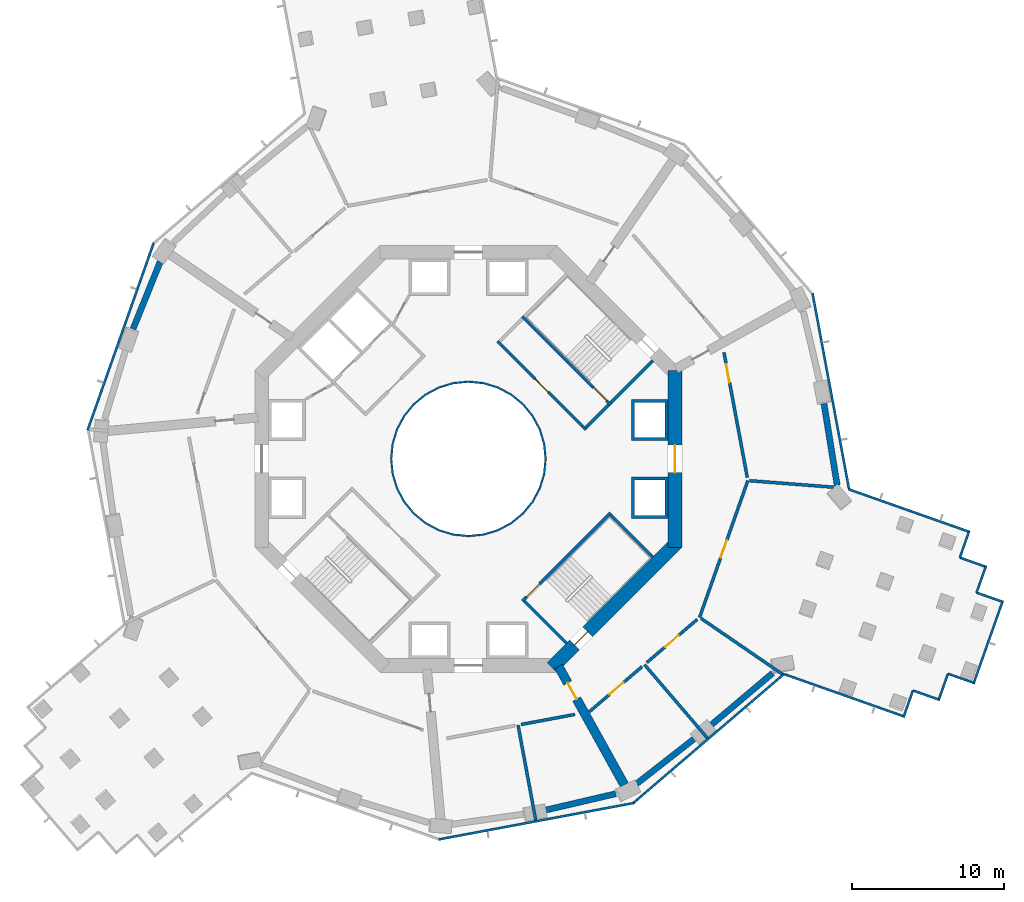
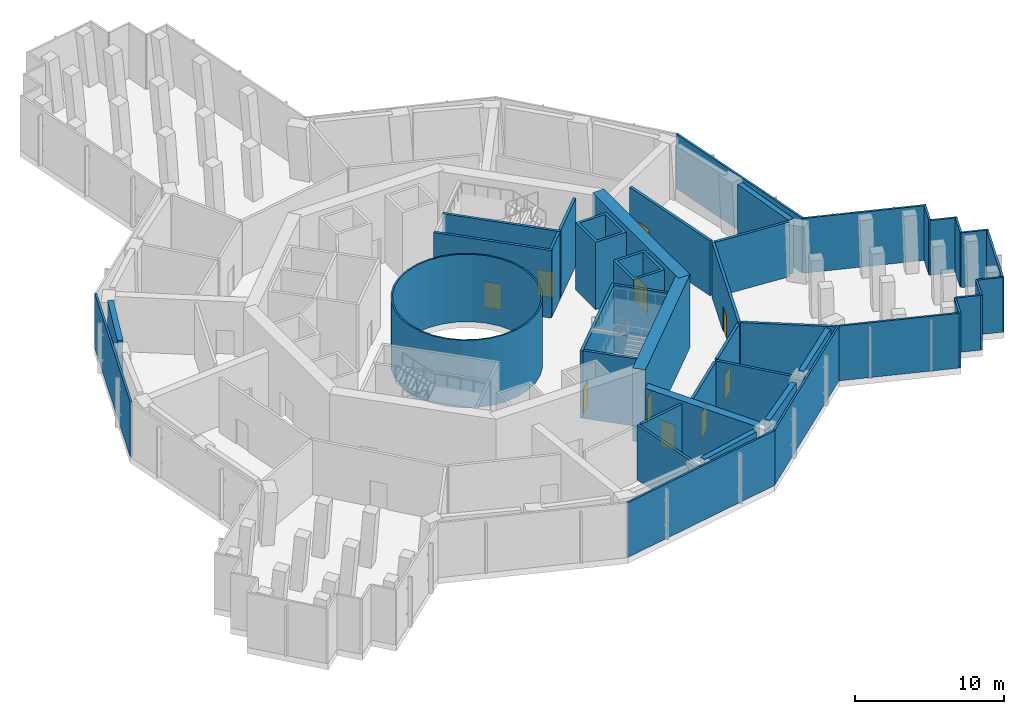
# One storey, part 4 of 20: 42 walls, 10 doors, 10 openings.
"""IFC4 building model written with IfcOpenShell, lengths in metres."""

from ifc_helpers import new_model, si_unit, direction, frame, frame_2d, origin, place, context, subcontext, project, spatial, polyline, rectangle, outline, extrude, material, layer, layer_set, type_object, element, fill, save


model = new_model("IFC4")

# Units and contexts
model_context = context("Model", 3, precision=1e-05, world=origin(), true_north=direction((0.0, 1.0)))
body_context = subcontext(model_context, "Body", "Model", "MODEL_VIEW")
ifc_project = project(units=[si_unit("LENGTHUNIT", "METRE"), si_unit("AREAUNIT", "SQUARE_METRE"), si_unit("VOLUMEUNIT", "CUBIC_METRE"), si_unit("PLANEANGLEUNIT", "RADIAN"), si_unit("MASSUNIT", "GRAM", prefix="KILO")], contexts=[model_context])

# Site, building, storey
site_placement = place(None, origin())
site = spatial("IfcSite", under=ifc_project, at=site_placement, CompositionType="ELEMENT")
building_placement = place(site_placement, origin())
building = spatial("IfcBuilding", under=site, at=building_placement, Name="Verdalira Terraces Hotel", CompositionType="ELEMENT")
storey_placement = place(building_placement, frame((0.0, 0.0, 75.0)))
storey = spatial("IfcBuildingStorey", under=building, at=storey_placement, Name="L17", CompositionType="ELEMENT", Elevation=75.0)

# Walls
ifc_material_1 = material(Name="Fire-resisting glass EI 180", Category="glass")
ifc_layer_1 = layer(ifc_material_1, 0.1201171875)
ifc_layer_set_1 = layer_set([ifc_layer_1], Name="Atrium fire screen 120 mm")
wall_type_1 = type_object("IfcWallType", Name="Atrium fire screen 120 mm", PredefinedType="SOLIDWALL", material=ifc_layer_set_1)
wall_1_placement = place(storey_placement, origin())
element("IfcWall", 1, at=wall_1_placement, inside=storey, type_object=wall_type_1, Name="Atrium fire screen", PredefinedType="SOLIDWALL", context=body_context, shape_type="SweptSolid", body=[
    extrude(outline(polyline([(5.021484, -0.998779), (4.730225, -1.959229), (4.25708, -2.844482), (3.620361, -3.620361), (2.844482, -4.25708), (1.959229, -4.730225), (0.998779, -5.021484), (0.0, -5.120117), (-0.998779, -5.021484), (-1.959229, -4.730225), (-2.844482, -4.25708), (-3.620361, -3.620361), (-4.25708, -2.844482), (-4.730225, -1.959229), (-5.021484, -0.998779), (-5.120117, 0.0), (-5.021484, 0.998779), (-4.730225, 1.959229), (-4.25708, 2.844482), (-3.620361, 3.620361), (-2.844482, 4.25708), (-1.959229, 4.730225), (-0.998779, 5.021484), (0.0, 5.120117), (0.998779, 5.021484), (1.959229, 4.730225), (2.844482, 4.25708), (3.620361, 3.620361), (4.25708, 2.844482), (4.730225, 1.959229), (5.021484, 0.998779), (5.120117, 0.0), (5.021484, -0.998779)]), holes=[polyline([(4.903809, 0.975586), (4.619385, 1.91333), (4.157227, 2.777832), (3.5354, 3.5354), (2.777832, 4.157227), (1.91333, 4.619385), (0.975586, 4.903809), (0.0, 5.0), (-0.975586, 4.903809), (-1.91333, 4.619385), (-2.777832, 4.157227), (-3.5354, 3.5354), (-4.157227, 2.777832), (-4.619385, 1.91333), (-4.903809, 0.975586), (-5.0, 0.0), (-4.903809, -0.975586), (-4.619385, -1.91333), (-4.157227, -2.777832), (-3.5354, -3.5354), (-2.777832, -4.157227), (-1.91333, -4.619385), (-0.975586, -4.903809), (0.0, -5.0), (0.975586, -4.903809), (1.91333, -4.619385), (2.777832, -4.157227), (3.5354, -3.5354), (4.157227, -2.777832), (4.619385, -1.91333), (4.903809, -0.975586), (5.0, 0.0), (4.903809, 0.975586)])]), origin(), (0.0, 0.0, 1.0), 5.550049),
])
ifc_material_2 = material(Name="Concrete C70", Category="concrete")
ifc_layer_2 = layer(ifc_material_2, 0.39990234375)
ifc_layer_set_2 = layer_set([ifc_layer_2], Name="Belt wall 400 C70")
wall_type_2 = type_object("IfcWallType", Name="Belt wall 400 C70", PredefinedType="SHEAR", material=ifc_layer_set_2)
for number, where, z_axis, x_axis, name in (
    (2, (-20.210449, 12.935059, 0.0), (0.0, 0.0, 1.0), (-0.374688749, -0.927150657, 0.0), "Belt wall BW-17-3"),
    (3, (5.0271, -23.045166, 0.0), (0.0, 0.0, 1.0), (0.973874889, 0.227085229, 0.0), "Belt wall BW-17-10"),
):
    element("IfcWall", number, at=place(storey_placement, frame(where, z_axis=z_axis, x_axis=x_axis)), inside=storey, type_object=wall_type_2, Name=name, PredefinedType="SHEAR", context=body_context, shape_type="SweptSolid", body=[
        extrude(rectangle(XDim=4.757324, YDim=0.399902, at=frame_2d((2.378662, 0.0))), origin(), (0.0, 0.0, 1.0), 4.5),
    ])
wall_2_placement = place(storey_placement, frame((11.0354, -21.307129, 0.0), z_axis=(0.0, 0.0, 1.0), x_axis=(0.788051606, 0.615609183, 0.0)))
element("IfcWall", 4, at=wall_2_placement, inside=storey, type_object=wall_type_2, Name="Belt wall BW-17-11", PredefinedType="SHEAR", context=body_context, shape_type="SweptSolid", body=[
    extrude(rectangle(XDim=4.75708, YDim=0.399902, at=frame_2d((2.378418, 0.0))), origin(), (0.0, 0.0, 1.0), 4.5),
])
wall_3_placement = place(storey_placement, frame((15.888916, -17.482422, 0.0), z_axis=(0.0, 0.0, 1.0), x_axis=(0.764448601, 0.64468468, 0.0)))
element("IfcWall", 5, at=wall_3_placement, inside=storey, type_object=wall_type_2, Name="Belt wall BW-17-12", PredefinedType="SHEAR", context=body_context, shape_type="SweptSolid", body=[
    extrude(rectangle(XDim=5.312256, YDim=0.399902, at=frame_2d((2.65625, 0.0))), origin(), (0.0, 0.0, 1.0), 4.5),
])
wall_4_placement = place(storey_placement, frame((24.187012, -1.738525, 0.0), z_axis=(0.0, 0.0, 1.0), x_axis=(-0.159259283, 0.987236791, 0.0)))
element("IfcWall", 6, at=wall_4_placement, inside=storey, type_object=wall_type_2, Name="Belt wall BW-17-13", PredefinedType="SHEAR", context=body_context, shape_type="SweptSolid", body=[
    extrude(rectangle(XDim=5.432861, YDim=0.399902, at=frame_2d((2.716309, 0.0))), origin(), (0.0, 0.0, 1.0), 4.5),
])
ifc_material_3 = material(Name="Concrete C50", Category="concrete")
ifc_layer_3 = layer(ifc_material_3, 0.199951171875)
ifc_layer_set_3 = layer_set([ifc_layer_3], Name="Core RC wall 200 C50")
wall_type_3 = type_object("IfcWallType", Name="Core RC wall 200 C50", PredefinedType="SOLIDWALL", material=ifc_layer_set_3)
wall_5_placement = place(storey_placement, origin())
element("IfcWall", 7, at=wall_5_placement, inside=storey, type_object=wall_type_3, Name="L17 shaft wall E1", PredefinedType="SOLIDWALL", context=body_context, shape_type="SweptSolid", body=[
    extrude(outline(polyline([(13.100098, -1.199951), (13.100098, -3.899902), (10.699951, -3.899902), (10.699951, -1.199951), (13.100098, -1.199951)]), holes=[polyline([(10.899902, -3.699951), (12.899902, -3.699951), (12.899902, -1.399902), (10.899902, -1.399902), (10.899902, -3.699951)])]), origin(), (0.0, 0.0, 1.0), 5.550049),
])
wall_6_placement = place(storey_placement, origin())
element("IfcWall", 8, at=wall_6_placement, inside=storey, type_object=wall_type_3, Name="L17 shaft wall E2", PredefinedType="SOLIDWALL", context=body_context, shape_type="SweptSolid", body=[
    extrude(outline(polyline([(10.699951, 3.899902), (13.100098, 3.899902), (13.100098, 1.199951), (10.699951, 1.199951), (10.699951, 3.899902)]), holes=[polyline([(12.899902, 1.399902), (12.899902, 3.699951), (10.899902, 3.699951), (10.899902, 1.399902), (12.899902, 1.399902)])]), origin(), (0.0, 0.0, 1.0), 5.550049),
])

# Wall, opening, door
wall_7_placement = place(storey_placement, frame((3.5354, 9.33374, 0.0), z_axis=(0.0, 0.0, 1.0), x_axis=(0.707106781, -0.707106781, 0.0)))
wall_7 = element("IfcWall", 9, at=wall_7_placement, inside=storey, type_object=wall_type_3, Name="L17 stair ST1 front wall", PredefinedType="SOLIDWALL", context=body_context, shape_type="SweptSolid", body=[
    extrude(rectangle(XDim=8.200195, YDim=0.199951, at=frame_2d((4.100098, 0.0))), origin(), (0.0, 0.0, 1.0), 5.550049),
])
opening_1_placement = place(wall_7_placement, frame((6.600098, 0.0, 0.0)))
opening_1 = element("IfcOpeningElement", 10, at=opening_1_placement, cuts=wall_7, Name="Opening L17-803", PredefinedType="OPENING", context=body_context, shape_type="SweptSolid", body=[
    extrude(rectangle(XDim=1.199951, YDim=2.100098, at=frame_2d((0.600098, 1.050049))), frame((0.0, 0.109863, 0.0), z_axis=(0.0, -1.0, 0.0), x_axis=(1.0, 0.0, 0.0)), (0.0, 0.0, 1.0), 0.219971),
])
ifc_material_4 = material(Name="Steel fire door", Category="steel")
door_type_1 = type_object("IfcDoorType", Name="Stair door 1200 x 2100", OperationType="NOTDEFINED", PredefinedType="DOOR", material=ifc_material_4)
door_1_placement = place(opening_1_placement, origin())
door_1 = element("IfcDoor", 11, at=door_1_placement, inside=storey, type_object=door_type_1, Name="Stair door ST1 L17", OperationType="SINGLE_SWING_RIGHT", OverallHeight=2.10009765625, OverallWidth=1.199951171875, PredefinedType="DOOR", context=body_context, shape_type="SweptSolid", body=[
    extrude(rectangle(XDim=1.199951, YDim=2.100098, at=frame_2d((0.600098, 1.050049))), frame((0.0, 0.024902, 0.0), z_axis=(0.0, -1.0, 0.0), x_axis=(1.0, 0.0, 0.0)), (0.0, 0.0, 1.0), 0.050049),
])
fill(opening_1, door_1)

# Wall
wall_8_placement = place(storey_placement, frame((9.33374, 3.677002, 0.0), z_axis=(0.0, 0.0, 1.0), x_axis=(0.707106781, 0.707106781, 0.0)))
element("IfcWall", 12, at=wall_8_placement, inside=storey, type_object=wall_type_3, Name="L17 stair ST1 end wall 1", PredefinedType="SOLIDWALL", context=body_context, shape_type="SweptSolid", body=[
    extrude(rectangle(XDim=3.900146, YDim=0.199951, at=frame_2d((1.950195, 0.0))), origin(), (0.0, 0.0, 1.0), 5.550049),
])

# Wall, opening, door
wall_9_placement = place(storey_placement, frame((9.33374, -3.5354, 0.0), z_axis=(0.0, 0.0, 1.0), x_axis=(-0.707106781, -0.707106781, 0.0)))
wall_9 = element("IfcWall", 13, at=wall_9_placement, inside=storey, type_object=wall_type_3, Name="L17 stair ST3 front wall", PredefinedType="SOLIDWALL", context=body_context, shape_type="SweptSolid", body=[
    extrude(rectangle(XDim=8.200195, YDim=0.199951, at=frame_2d((4.100098, 0.0))), origin(), (0.0, 0.0, 1.0), 5.550049),
])
opening_2_placement = place(wall_9_placement, frame((6.600098, 0.0, 0.0)))
opening_2 = element("IfcOpeningElement", 14, at=opening_2_placement, cuts=wall_9, Name="Opening L17-805", PredefinedType="OPENING", context=body_context, shape_type="SweptSolid", body=[
    extrude(rectangle(XDim=1.199951, YDim=2.100098, at=frame_2d((0.600098, 1.050049))), frame((0.0, 0.109863, 0.0), z_axis=(0.0, -1.0, 0.0), x_axis=(1.0, 0.0, 0.0)), (0.0, 0.0, 1.0), 0.219971),
])
door_2_placement = place(opening_2_placement, origin())
door_2 = element("IfcDoor", 15, at=door_2_placement, inside=storey, type_object=door_type_1, Name="Stair door ST3 L17", OperationType="SINGLE_SWING_RIGHT", OverallHeight=2.10009765625, OverallWidth=1.199951171875, PredefinedType="DOOR", context=body_context, shape_type="SweptSolid", body=[
    extrude(rectangle(XDim=1.199951, YDim=2.100098, at=frame_2d((0.600098, 1.050049))), frame((0.0, 0.024902, 0.0), z_axis=(0.0, -1.0, 0.0), x_axis=(1.0, 0.0, 0.0)), (0.0, 0.0, 1.0), 0.050049),
])
fill(opening_2, door_2)

# Walls
for number, where, z_axis, x_axis, name in (
    (16, (3.677002, -9.33374, 0.0), (0.0, 0.0, 1.0), (0.707106781, -0.707106781, 0.0), "L17 stair ST3 end wall 1"),
    (17, (9.33374, -3.677002, 0.0), (0.0, 0.0, 1.0), (0.707106781, -0.707106781, 0.0), "L17 stair ST3 end wall 2"),
):
    element("IfcWall", number, at=place(storey_placement, frame(where, z_axis=z_axis, x_axis=x_axis)), inside=storey, type_object=wall_type_3, Name=name, PredefinedType="SOLIDWALL", context=body_context, shape_type="SweptSolid", body=[
        extrude(rectangle(XDim=3.900146, YDim=0.199951, at=frame_2d((1.950195, 0.0))), origin(), (0.0, 0.0, 1.0), 5.550049),
    ])

# Wall, opening, door
wall_10_placement = place(storey_placement, frame((7.70752, 1.90918, 0.0), z_axis=(0.0, 0.0, 1.0), x_axis=(-0.707106781, 0.707106781, 0.0)))
wall_10 = element("IfcWall", 18, at=wall_10_placement, inside=storey, type_object=wall_type_3, Name="Stair lobby wall ST1 L17", PredefinedType="SOLIDWALL", context=body_context, shape_type="SweptSolid", body=[
    extrude(rectangle(XDim=8.200195, YDim=0.199951, at=frame_2d((4.100098, 0.0))), origin(), (0.0, 0.0, 1.0), 5.550049),
])
opening_3_placement = place(wall_10_placement, frame((3.5, 0.0, 0.0)))
opening_3 = element("IfcOpeningElement", 19, at=opening_3_placement, cuts=wall_10, Name="Opening L17-816", PredefinedType="OPENING", context=body_context, shape_type="SweptSolid", body=[
    extrude(rectangle(XDim=1.199951, YDim=2.100098, at=frame_2d((0.600098, 1.050049))), frame((0.0, 0.109863, 0.0), z_axis=(0.0, -1.0, 0.0), x_axis=(1.0, 0.0, 0.0)), (0.0, 0.0, 1.0), 0.219971),
])
ifc_material_5 = material(Name="Steel fire door", Category="steel")
door_type_2 = type_object("IfcDoorType", Name="Lobby door 1200 x 2100", OperationType="NOTDEFINED", PredefinedType="DOOR", material=ifc_material_5)
door_3_placement = place(opening_3_placement, origin())
door_3 = element("IfcDoor", 20, at=door_3_placement, inside=storey, type_object=door_type_2, Name="Door L17 lobbyST1", OperationType="SINGLE_SWING_LEFT", OverallHeight=2.10009765625, OverallWidth=1.199951171875, PredefinedType="DOOR", context=body_context, shape_type="SweptSolid", body=[
    extrude(rectangle(XDim=1.199951, YDim=2.100098, at=frame_2d((0.600098, 1.050049))), frame((0.0, 0.024902, 0.0), z_axis=(0.0, -1.0, 0.0), x_axis=(1.0, 0.0, 0.0)), (0.0, 0.0, 1.0), 0.050049),
])
fill(opening_3, door_3)

# Wall
wall_11_placement = place(storey_placement, frame((7.70752, 2.050537, 0.0), z_axis=(0.0, 0.0, 1.0), x_axis=(0.707106781, 0.707106781, 0.0)))
element("IfcWall", 21, at=wall_11_placement, inside=storey, type_object=wall_type_3, Name="Stair lobby wall ST1 L17", PredefinedType="SOLIDWALL", context=body_context, shape_type="SweptSolid", body=[
    extrude(rectangle(XDim=2.099854, YDim=0.199951, at=frame_2d((1.049805, 0.0))), origin(), (0.0, 0.0, 1.0), 5.550049),
])

# Wall, opening, door
ifc_material_6 = material(Name="Concrete C70", Category="concrete")
ifc_layer_4 = layer(ifc_material_6, 0.89990234375)
ifc_layer_set_4 = layer_set([ifc_layer_4], Name="Core wall 900 C70")
wall_type_4 = type_object("IfcWallType", Name="Core wall 900 C70", PredefinedType="SHEAR", material=ifc_layer_set_4)
wall_12_placement = place(storey_placement, frame((13.550049, -5.799072, 0.0), z_axis=(0.0, 0.0, 1.0), x_axis=(0.0, 1.0, 0.0)))
wall_12 = element("IfcWall", 22, at=wall_12_placement, inside=storey, type_object=wall_type_4, Name="Core wall CW-L17-1", PredefinedType="SHEAR", context=body_context, shape_type="SweptSolid", body=[
    extrude(rectangle(XDim=11.598145, YDim=0.899902, at=frame_2d((5.799072, 0.0))), origin(), (0.0, 0.0, 1.0), 6.0),
])
opening_4_placement = place(wall_12_placement, frame((4.898926, 0.0, 0.0)))
opening_4 = element("IfcOpeningElement", 23, at=opening_4_placement, cuts=wall_12, Name="Opening L17-806", PredefinedType="OPENING", context=body_context, shape_type="SweptSolid", body=[
    extrude(rectangle(XDim=1.800049, YDim=2.100098, at=frame_2d((0.899902, 1.050049))), frame((0.0, 0.459961, 0.0), z_axis=(0.0, -1.0, 0.0), x_axis=(1.0, 0.0, 0.0)), (0.0, 0.0, 1.0), 0.919922),
])
ifc_material_7 = material(Name="Steel fire door", Category="steel")
door_type_3 = type_object("IfcDoorType", Name="Core entry door pair 1800 x 2100", OperationType="NOTDEFINED", PredefinedType="DOOR", material=ifc_material_7)
door_4_placement = place(opening_4_placement, origin())
door_4 = element("IfcDoor", 24, at=door_4_placement, inside=storey, type_object=door_type_3, Name="Core entry door L17 0", OperationType="DOUBLE_DOOR_SINGLE_SWING", OverallHeight=2.10009765625, OverallWidth=1.800048828125, PredefinedType="DOOR", context=body_context, shape_type="SweptSolid", body=[
    extrude(rectangle(XDim=1.800049, YDim=2.100098, at=frame_2d((0.899902, 1.050049))), frame((0.0, 0.024902, 0.0), z_axis=(0.0, -1.0, 0.0), x_axis=(1.0, 0.0, 0.0)), (0.0, 0.0, 1.0), 0.050049),
])
fill(opening_4, door_4)

wall_13_placement = place(storey_placement, frame((5.480713, -13.681885, 0.0), z_axis=(0.0, 0.0, 1.0), x_axis=(0.707106781, 0.707106781, 0.0)))
wall_13 = element("IfcWall", 25, at=wall_13_placement, inside=storey, type_object=wall_type_4, Name="Core wall CW-L17-8", PredefinedType="SHEAR", context=body_context, shape_type="SweptSolid", body=[
    extrude(rectangle(XDim=11.598145, YDim=0.899902, at=frame_2d((5.799072, 0.0))), origin(), (0.0, 0.0, 1.0), 6.0),
])
opening_5_placement = place(wall_13_placement, frame((2.099121, 0.0, 0.0)))
opening_5 = element("IfcOpeningElement", 26, at=opening_5_placement, cuts=wall_13, Name="Opening L17-812", PredefinedType="OPENING", context=body_context, shape_type="SweptSolid", body=[
    extrude(rectangle(XDim=1.199951, YDim=2.100098, at=frame_2d((0.600098, 1.050049))), frame((0.0, 0.459961, 0.0), z_axis=(0.0, -1.0, 0.0), x_axis=(1.0, 0.0, 0.0)), (0.0, 0.0, 1.0), 0.919922),
])
door_5_placement = place(opening_5_placement, origin())
door_5 = element("IfcDoor", 27, at=door_5_placement, inside=storey, type_object=door_type_1, Name="Stair exit door ST3 L17", OperationType="SINGLE_SWING_LEFT", OverallHeight=2.10009765625, OverallWidth=1.199951171875, PredefinedType="DOOR", context=body_context, shape_type="SweptSolid", body=[
    extrude(rectangle(XDim=1.199951, YDim=2.100098, at=frame_2d((0.600098, 1.050049))), frame((0.0, 0.024902, 0.0), z_axis=(0.0, -1.0, 0.0), x_axis=(1.0, 0.0, 0.0)), (0.0, 0.0, 1.0), 0.050049),
])
fill(opening_5, door_5)

ifc_material_8 = material(Name="Concrete C70", Category="concrete")
ifc_layer_5 = layer(ifc_material_8, 0.60009765625)
ifc_layer_set_5 = layer_set([ifc_layer_5], Name="Outrigger wall 600 C70")
wall_type_5 = type_object("IfcWallType", Name="Outrigger wall 600 C70", PredefinedType="SHEAR", material=ifc_layer_set_5)
wall_14_placement = place(storey_placement, frame((5.91333, -13.61377, 0.0), z_axis=(0.0, 0.0, 1.0), x_axis=(0.485409605, -0.874286861, 0.0)))
wall_14 = element("IfcWall", 28, at=wall_14_placement, inside=storey, type_object=wall_type_5, Name="Outrigger wall OW-17-4", PredefinedType="SHEAR", context=body_context, shape_type="SweptSolid", body=[
    extrude(rectangle(XDim=8.884766, YDim=0.600098, at=frame_2d((4.442383, 0.0))), origin(), (0.0, 0.0, 1.0), 4.5),
])
opening_6_placement = place(wall_14_placement, frame((1.25, 0.0, 0.0)))
opening_6 = element("IfcOpeningElement", 29, at=opening_6_placement, cuts=wall_14, Name="Opening L17-104", PredefinedType="OPENING", context=body_context, shape_type="SweptSolid", body=[
    extrude(rectangle(XDim=1.199951, YDim=2.100098, at=frame_2d((0.600098, 1.050049))), frame((0.0, 0.310059, 0.0), z_axis=(0.0, -1.0, 0.0), x_axis=(1.0, 0.0, 0.0)), (0.0, 0.0, 1.0), 0.620117),
])
ifc_material_9 = material(Name="Steel fire door", Category="steel")
door_type_4 = type_object("IfcDoorType", Name="Plant room door 1200 x 2100", OperationType="NOTDEFINED", PredefinedType="DOOR", material=ifc_material_9)
door_6_placement = place(opening_6_placement, origin())
door_6 = element("IfcDoor", 30, at=door_6_placement, inside=storey, type_object=door_type_4, Name="Plant room door", OperationType="SINGLE_SWING_LEFT", OverallHeight=2.10009765625, OverallWidth=1.199951171875, PredefinedType="DOOR", context=body_context, shape_type="SweptSolid", body=[
    extrude(rectangle(XDim=1.199951, YDim=2.100098, at=frame_2d((0.600098, 1.050049))), frame((0.0, 0.024902, 0.0), z_axis=(0.0, -1.0, 0.0), x_axis=(1.0, 0.0, 0.0)), (0.0, 0.0, 1.0), 0.050049),
])
fill(opening_6, door_6)

# Walls
ifc_material_10 = material(Name="Fire-rated concrete block wall", Category="concrete")
ifc_layer_6 = layer(ifc_material_10, 0.199951171875)
ifc_layer_set_6 = layer_set([ifc_layer_6], Name="Plant room wall 200 mm")
wall_type_6 = type_object("IfcWallType", Name="Plant room wall 200 mm", PredefinedType="SOLIDWALL", material=ifc_layer_set_6)
wall_15_placement = place(storey_placement, frame((3.254395, -17.45752, 0.0), z_axis=(0.0, 0.0, 1.0), x_axis=(0.18327865, -0.983061003, 0.0)))
element("IfcWall", 31, at=wall_15_placement, inside=storey, type_object=wall_type_6, Name="Plant room wall", PredefinedType="SOLIDWALL", context=body_context, shape_type="SweptSolid", body=[
    extrude(rectangle(XDim=6.350098, YDim=0.199951, at=frame_2d((3.175049, 0.0))), origin(), (0.0, 0.0, 1.0), 4.5),
])
wall_16_placement = place(storey_placement, frame((3.451172, -17.420898, 0.0), z_axis=(0.0, 0.0, 1.0), x_axis=(0.983061962, 0.183273511, 0.0)))
element("IfcWall", 32, at=wall_16_placement, inside=storey, type_object=wall_type_6, Name="Plant room wall", PredefinedType="SOLIDWALL", context=body_context, shape_type="SweptSolid", body=[
    extrude(rectangle(XDim=3.587402, YDim=0.199951, at=frame_2d((1.793701, 0.0))), origin(), (0.0, 0.0, 1.0), 4.5),
])

# Wall, opening, door
wall_17_placement = place(storey_placement, frame((11.395264, -13.621582, 0.0), z_axis=(0.0, 0.0, 1.0), x_axis=(-0.759729045, -0.650239785, 0.0)))
wall_17 = element("IfcWall", 33, at=wall_17_placement, inside=storey, type_object=wall_type_6, Name="Plant room wall", PredefinedType="SOLIDWALL", context=body_context, shape_type="SweptSolid", body=[
    extrude(rectangle(XDim=4.557617, YDim=0.199951, at=frame_2d((2.278809, 0.0))), origin(), (0.0, 0.0, 1.0), 4.5),
])
opening_7_placement = place(wall_17_placement, frame((1.600098, 0.0, 0.0)))
opening_7 = element("IfcOpeningElement", 34, at=opening_7_placement, cuts=wall_17, Name="Opening L17-113", PredefinedType="OPENING", context=body_context, shape_type="SweptSolid", body=[
    extrude(rectangle(XDim=1.199951, YDim=2.100098, at=frame_2d((0.600098, 1.050049))), frame((0.0, 0.109863, 0.0), z_axis=(0.0, -1.0, 0.0), x_axis=(1.0, 0.0, 0.0)), (0.0, 0.0, 1.0), 0.219971),
])
door_7_placement = place(opening_7_placement, origin())
door_7 = element("IfcDoor", 35, at=door_7_placement, inside=storey, type_object=door_type_4, Name="Plant room door 1707", OperationType="SINGLE_SWING_LEFT", OverallHeight=2.10009765625, OverallWidth=1.199951171875, PredefinedType="DOOR", context=body_context, shape_type="SweptSolid", body=[
    extrude(rectangle(XDim=1.199951, YDim=2.100098, at=frame_2d((0.600098, 1.050049))), frame((0.0, 0.024902, 0.0), z_axis=(0.0, -1.0, 0.0), x_axis=(1.0, 0.0, 0.0)), (0.0, 0.0, 1.0), 0.050049),
])
fill(opening_7, door_7)

wall_18_placement = place(storey_placement, frame((15.010254, -10.527588, 0.0), z_axis=(0.0, 0.0, 1.0), x_axis=(-0.759742775, -0.650223742, 0.0)))
wall_18 = element("IfcWall", 36, at=wall_18_placement, inside=storey, type_object=wall_type_6, Name="Plant room wall", PredefinedType="SOLIDWALL", context=body_context, shape_type="SweptSolid", body=[
    extrude(rectangle(XDim=4.358154, YDim=0.199951, at=frame_2d((2.179199, 0.0))), origin(), (0.0, 0.0, 1.0), 4.5),
])
opening_8_placement = place(wall_18_placement, frame((1.600098, 0.0, 0.0)))
opening_8 = element("IfcOpeningElement", 37, at=opening_8_placement, cuts=wall_18, Name="Opening L17-114", PredefinedType="OPENING", context=body_context, shape_type="SweptSolid", body=[
    extrude(rectangle(XDim=1.199951, YDim=2.100098, at=frame_2d((0.600098, 1.050049))), frame((0.0, 0.109863, 0.0), z_axis=(0.0, -1.0, 0.0), x_axis=(1.0, 0.0, 0.0)), (0.0, 0.0, 1.0), 0.219971),
])
door_8_placement = place(opening_8_placement, origin())
door_8 = element("IfcDoor", 38, at=door_8_placement, inside=storey, type_object=door_type_4, Name="Plant room door 1708", OperationType="SINGLE_SWING_LEFT", OverallHeight=2.10009765625, OverallWidth=1.199951171875, PredefinedType="DOOR", context=body_context, shape_type="SweptSolid", body=[
    extrude(rectangle(XDim=1.199951, YDim=2.100098, at=frame_2d((0.600098, 1.050049))), frame((0.0, 0.024902, 0.0), z_axis=(0.0, -1.0, 0.0), x_axis=(1.0, 0.0, 0.0)), (0.0, 0.0, 1.0), 0.050049),
])
fill(opening_8, door_8)

# Wall
wall_19_placement = place(storey_placement, frame((11.547363, -13.491455, 0.0), z_axis=(0.0, 0.0, 1.0), x_axis=(0.650233927, -0.759734059, 0.0)))
element("IfcWall", 39, at=wall_19_placement, inside=storey, type_object=wall_type_6, Name="Plant room wall", PredefinedType="SOLIDWALL", context=body_context, shape_type="SweptSolid", body=[
    extrude(rectangle(XDim=6.349854, YDim=0.199951, at=frame_2d((3.174805, 0.0))), origin(), (0.0, 0.0, 1.0), 4.5),
])

# Wall, opening, door
wall_20_placement = place(storey_placement, frame((18.32959, -1.42334, 0.0), z_axis=(0.0, 0.0, 1.0), x_axis=(-0.332818776, -0.942990807, 0.0)))
wall_20 = element("IfcWall", 40, at=wall_20_placement, inside=storey, type_object=wall_type_6, Name="Plant room wall", PredefinedType="SOLIDWALL", context=body_context, shape_type="SweptSolid", body=[
    extrude(rectangle(XDim=9.516357, YDim=0.199951, at=frame_2d((4.758301, 0.0))), origin(), (0.0, 0.0, 1.0), 4.5),
])
opening_9_placement = place(wall_20_placement, frame((4.149902, 0.0, 0.0)))
opening_9 = element("IfcOpeningElement", 41, at=opening_9_placement, cuts=wall_20, Name="Opening L17-115", PredefinedType="OPENING", context=body_context, shape_type="SweptSolid", body=[
    extrude(rectangle(XDim=1.199951, YDim=2.100098, at=frame_2d((0.600098, 1.050049))), frame((0.0, 0.109863, 0.0), z_axis=(0.0, -1.0, 0.0), x_axis=(1.0, 0.0, 0.0)), (0.0, 0.0, 1.0), 0.219971),
])
door_9_placement = place(opening_9_placement, origin())
door_9 = element("IfcDoor", 42, at=door_9_placement, inside=storey, type_object=door_type_4, Name="Plant room door 1709", OperationType="SINGLE_SWING_LEFT", OverallHeight=2.10009765625, OverallWidth=1.199951171875, PredefinedType="DOOR", context=body_context, shape_type="SweptSolid", body=[
    extrude(rectangle(XDim=1.199951, YDim=2.100098, at=frame_2d((0.600098, 1.050049))), frame((0.0, 0.024902, 0.0), z_axis=(0.0, -1.0, 0.0), x_axis=(1.0, 0.0, 0.0)), (0.0, 0.0, 1.0), 0.050049),
])
fill(opening_9, door_9)

wall_21_placement = place(storey_placement, frame((16.763428, 6.977783, 0.0), z_axis=(0.0, 0.0, 1.0), x_axis=(0.183272845, -0.983062086, 0.0)))
wall_21 = element("IfcWall", 43, at=wall_21_placement, inside=storey, type_object=wall_type_6, Name="Plant room wall", PredefinedType="SOLIDWALL", context=body_context, shape_type="SweptSolid", body=[
    extrude(rectangle(XDim=8.345703, YDim=0.199951, at=frame_2d((4.172852, 0.0))), origin(), (0.0, 0.0, 1.0), 4.5),
])
opening_10_placement = place(wall_21_placement, frame((0.800049, 0.0, 0.0)))
opening_10 = element("IfcOpeningElement", 44, at=opening_10_placement, cuts=wall_21, Name="Opening L17-116", PredefinedType="OPENING", context=body_context, shape_type="SweptSolid", body=[
    extrude(rectangle(XDim=1.199951, YDim=2.100098, at=frame_2d((0.600098, 1.050049))), frame((0.0, 0.109863, 0.0), z_axis=(0.0, -1.0, 0.0), x_axis=(1.0, 0.0, 0.0)), (0.0, 0.0, 1.0), 0.219971),
])
door_10_placement = place(opening_10_placement, origin())
door_10 = element("IfcDoor", 45, at=door_10_placement, inside=storey, type_object=door_type_4, Name="Plant room door 1710", OperationType="SINGLE_SWING_LEFT", OverallHeight=2.10009765625, OverallWidth=1.199951171875, PredefinedType="DOOR", context=body_context, shape_type="SweptSolid", body=[
    extrude(rectangle(XDim=1.199951, YDim=2.100098, at=frame_2d((0.600098, 1.050049))), frame((0.0, 0.024902, 0.0), z_axis=(0.0, -1.0, 0.0), x_axis=(1.0, 0.0, 0.0)), (0.0, 0.0, 1.0), 0.050049),
])
fill(opening_10, door_10)

# Walls
wall_22_placement = place(storey_placement, frame((15.247803, -10.456055, 0.0), z_axis=(0.0, 0.0, 1.0), x_axis=(0.824728852, -0.565528356, 0.0)))
element("IfcWall", 46, at=wall_22_placement, inside=storey, type_object=wall_type_6, Name="Plant room wall", PredefinedType="SOLIDWALL", context=body_context, shape_type="SweptSolid", body=[
    extrude(rectangle(XDim=6.475586, YDim=0.199951, at=frame_2d((3.237793, 0.0))), origin(), (0.0, 0.0, 1.0), 4.5),
])
wall_23_placement = place(storey_placement, frame((18.432861, -1.431396, 0.0), z_axis=(0.0, 0.0, 1.0), x_axis=(0.9970028, -0.077365473, 0.0)))
element("IfcWall", 47, at=wall_23_placement, inside=storey, type_object=wall_type_6, Name="Plant room wall", PredefinedType="SOLIDWALL", context=body_context, shape_type="SweptSolid", body=[
    extrude(rectangle(XDim=5.525635, YDim=0.199951, at=frame_2d((2.762695, 0.0))), origin(), (0.0, 0.0, 1.0), 4.5),
])
ifc_material_11 = material(Name="Terracotta cladding", Category="masonry")
ifc_layer_7 = layer(ifc_material_11, 0.14990234375)
ifc_layer_set_7 = layer_set([ifc_layer_7], Name="Terracotta clad wall 150")
wall_type_7 = type_object("IfcWallType", Name="Terracotta clad wall 150", PredefinedType="SOLIDWALL", material=ifc_layer_set_7)
for number, where, z_axis, x_axis, name in (
    (48, (-20.641357, 14.178223, 0.0), (0.0, 0.0, 1.0), (-0.3328113, -0.942993446, 0.0), "Terracotta cladding wall"),
    (49, (-1.958008, -24.965088, 0.0), (0.0, 0.0, 1.0), (0.983062701, 0.183269544, 0.0), "Terracotta cladding wall"),
):
    element("IfcWall", number, at=place(storey_placement, frame(where, z_axis=z_axis, x_axis=x_axis)), inside=storey, type_object=wall_type_7, Name=name, PredefinedType="SOLIDWALL", context=body_context, shape_type="SweptSolid", body=[
        extrude(rectangle(XDim=13.034912, YDim=0.149902, at=frame_2d((6.517578, 0.0))), origin(), (0.0, 0.0, 1.0), 4.5),
    ])
wall_24_placement = place(storey_placement, frame((10.786865, -22.599365, 0.0), z_axis=(0.0, 0.0, 1.0), x_axis=(0.759722997, 0.650246851, 0.0)))
element("IfcWall", 50, at=wall_24_placement, inside=storey, type_object=wall_type_7, Name="Terracotta cladding wall", PredefinedType="SOLIDWALL", context=body_context, shape_type="SweptSolid", body=[
    extrude(rectangle(XDim=13.074951, YDim=0.149902, at=frame_2d((6.537598, 0.0))), origin(), (0.0, 0.0, 1.0), 4.5),
])
wall_25_placement = place(storey_placement, frame((20.726074, -14.128418, 0.0), z_axis=(0.0, 0.0, 1.0), x_axis=(0.942988163, -0.332826267, 0.0)))
element("IfcWall", 51, at=wall_25_placement, inside=storey, type_object=wall_type_7, Name="Terracotta cladding wall", PredefinedType="SOLIDWALL", context=body_context, shape_type="SweptSolid", body=[
    extrude(rectangle(XDim=8.306641, YDim=0.149902, at=frame_2d((4.15332, 0.0))), origin(), (0.0, 0.0, 1.0), 4.5),
])
wall_26_placement = place(storey_placement, frame((28.53418, -16.963867, 0.0), z_axis=(0.0, 0.0, 1.0), x_axis=(0.332820118, 0.942990334, 0.0)))
element("IfcWall", 52, at=wall_26_placement, inside=storey, type_object=wall_type_7, Name="Terracotta cladding wall", PredefinedType="SOLIDWALL", context=body_context, shape_type="SweptSolid", body=[
    extrude(rectangle(XDim=1.875, YDim=0.149902, at=frame_2d((0.9375, 0.0))), origin(), (0.0, 0.0, 1.0), 4.5),
])
wall_27_placement = place(storey_placement, frame((29.158203, -15.195801, 0.0), z_axis=(0.0, 0.0, 1.0), x_axis=(0.943017877, -0.332742067, 0.0)))
element("IfcWall", 53, at=wall_27_placement, inside=storey, type_object=wall_type_7, Name="Terracotta cladding wall", PredefinedType="SOLIDWALL", context=body_context, shape_type="SweptSolid", body=[
    extrude(rectangle(XDim=1.799805, YDim=0.149902, at=frame_2d((0.899902, 0.0))), origin(), (0.0, 0.0, 1.0), 4.5),
])
wall_28_placement = place(storey_placement, frame((30.830566, -15.865479, 0.0), z_axis=(0.0, 0.0, 1.0), x_axis=(0.332820118, 0.942990334, 0.0)))
element("IfcWall", 54, at=wall_28_placement, inside=storey, type_object=wall_type_7, Name="Terracotta cladding wall", PredefinedType="SOLIDWALL", context=body_context, shape_type="SweptSolid", body=[
    extrude(rectangle(XDim=1.875, YDim=0.149902, at=frame_2d((0.9375, 0.0))), origin(), (0.0, 0.0, 1.0), 4.5),
])
wall_29_placement = place(storey_placement, frame((31.45459, -14.097412, 0.0), z_axis=(0.0, 0.0, 1.0), x_axis=(0.942975308, -0.332862688, 0.0)))
element("IfcWall", 55, at=wall_29_placement, inside=storey, type_object=wall_type_7, Name="Terracotta cladding wall", PredefinedType="SOLIDWALL", context=body_context, shape_type="SweptSolid", body=[
    extrude(rectangle(XDim=1.799805, YDim=0.149902, at=frame_2d((0.899902, 0.0))), origin(), (0.0, 0.0, 1.0), 4.5),
])
wall_30_placement = place(storey_placement, frame((33.126953, -14.76709, 0.0), z_axis=(0.0, 0.0, 1.0), x_axis=(0.332849117, 0.942980098, 0.0)))
element("IfcWall", 56, at=wall_30_placement, inside=storey, type_object=wall_type_7, Name="Terracotta cladding wall", PredefinedType="SOLIDWALL", context=body_context, shape_type="SweptSolid", body=[
    extrude(rectangle(XDim=5.724854, YDim=0.149902, at=frame_2d((2.862305, 0.0))), origin(), (0.0, 0.0, 1.0), 4.5),
])
wall_31_placement = place(storey_placement, frame((35.103027, -9.393555, 0.0), z_axis=(0.0, 0.0, 1.0), x_axis=(-0.942990334, 0.332820118, 0.0)))
element("IfcWall", 57, at=wall_31_placement, inside=storey, type_object=wall_type_7, Name="Terracotta cladding wall", PredefinedType="SOLIDWALL", context=body_context, shape_type="SweptSolid", body=[
    extrude(rectangle(XDim=1.875, YDim=0.149902, at=frame_2d((0.9375, 0.0))), origin(), (0.0, 0.0, 1.0), 4.5),
])
wall_32_placement = place(storey_placement, frame((33.334961, -8.769531, 0.0), z_axis=(0.0, 0.0, 1.0), x_axis=(0.332820118, 0.942990334, 0.0)))
element("IfcWall", 58, at=wall_32_placement, inside=storey, type_object=wall_type_7, Name="Terracotta cladding wall", PredefinedType="SOLIDWALL", context=body_context, shape_type="SweptSolid", body=[
    extrude(rectangle(XDim=1.800049, YDim=0.149902, at=frame_2d((0.899902, 0.0))), origin(), (0.0, 0.0, 1.0), 4.5),
])
wall_33_placement = place(storey_placement, frame((34.004883, -7.097168, 0.0), z_axis=(0.0, 0.0, 1.0), x_axis=(-0.943004754, 0.332779256, 0.0)))
element("IfcWall", 59, at=wall_33_placement, inside=storey, type_object=wall_type_7, Name="Terracotta cladding wall", PredefinedType="SOLIDWALL", context=body_context, shape_type="SweptSolid", body=[
    extrude(rectangle(XDim=1.875244, YDim=0.149902, at=frame_2d((0.9375, 0.0))), origin(), (0.0, 0.0, 1.0), 4.5),
])
wall_34_placement = place(storey_placement, frame((32.236572, -6.473145, 0.0), z_axis=(0.0, 0.0, 1.0), x_axis=(0.332820118, 0.942990334, 0.0)))
element("IfcWall", 60, at=wall_34_placement, inside=storey, type_object=wall_type_7, Name="Terracotta cladding wall", PredefinedType="SOLIDWALL", context=body_context, shape_type="SweptSolid", body=[
    extrude(rectangle(XDim=1.800049, YDim=0.149902, at=frame_2d((0.899902, 0.0))), origin(), (0.0, 0.0, 1.0), 4.5),
])
wall_35_placement = place(storey_placement, frame((32.906494, -4.800537, 0.0), z_axis=(0.0, 0.0, 1.0), x_axis=(-0.942992468, 0.332814069, 0.0)))
element("IfcWall", 61, at=wall_35_placement, inside=storey, type_object=wall_type_7, Name="Terracotta cladding wall", PredefinedType="SOLIDWALL", context=body_context, shape_type="SweptSolid", body=[
    extrude(rectangle(XDim=8.444824, YDim=0.149902, at=frame_2d((4.222412, 0.0))), origin(), (0.0, 0.0, 1.0), 4.5),
])
wall_36_placement = place(storey_placement, frame((24.967041, -1.969238, 0.0), z_axis=(0.0, 0.0, 1.0), x_axis=(-0.183259133, 0.983064642, 0.0)))
element("IfcWall", 62, at=wall_36_placement, inside=storey, type_object=wall_type_7, Name="Terracotta cladding wall", PredefinedType="SOLIDWALL", context=body_context, shape_type="SweptSolid", body=[
    extrude(rectangle(XDim=13.046387, YDim=0.149902, at=frame_2d((6.523193, 0.0))), origin(), (0.0, 0.0, 1.0), 4.5),
])

save(model, "model.ifc")
